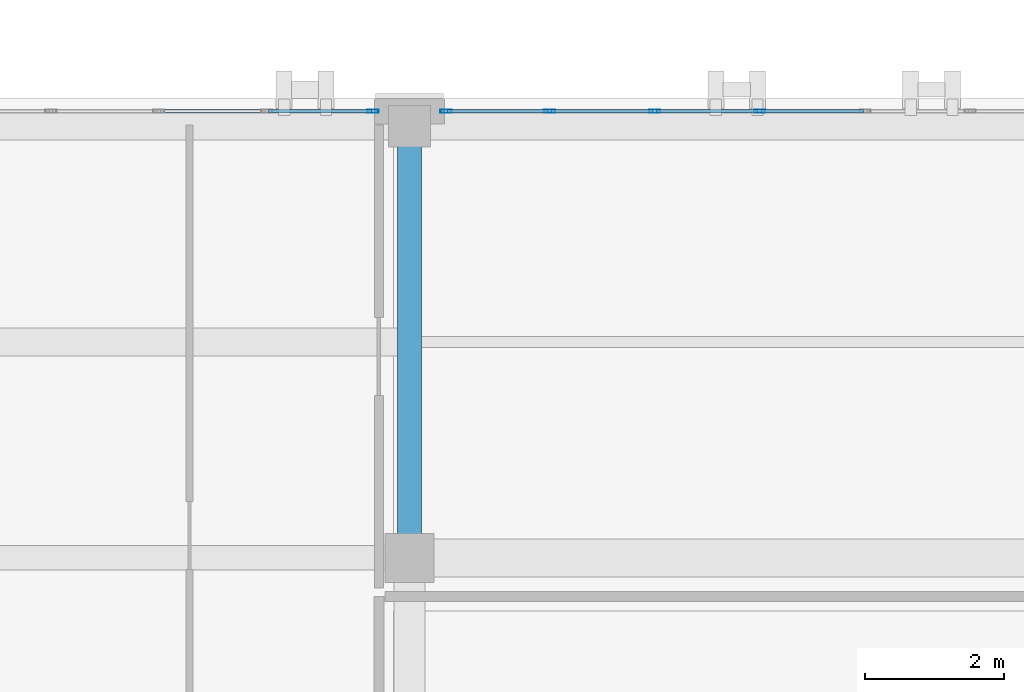
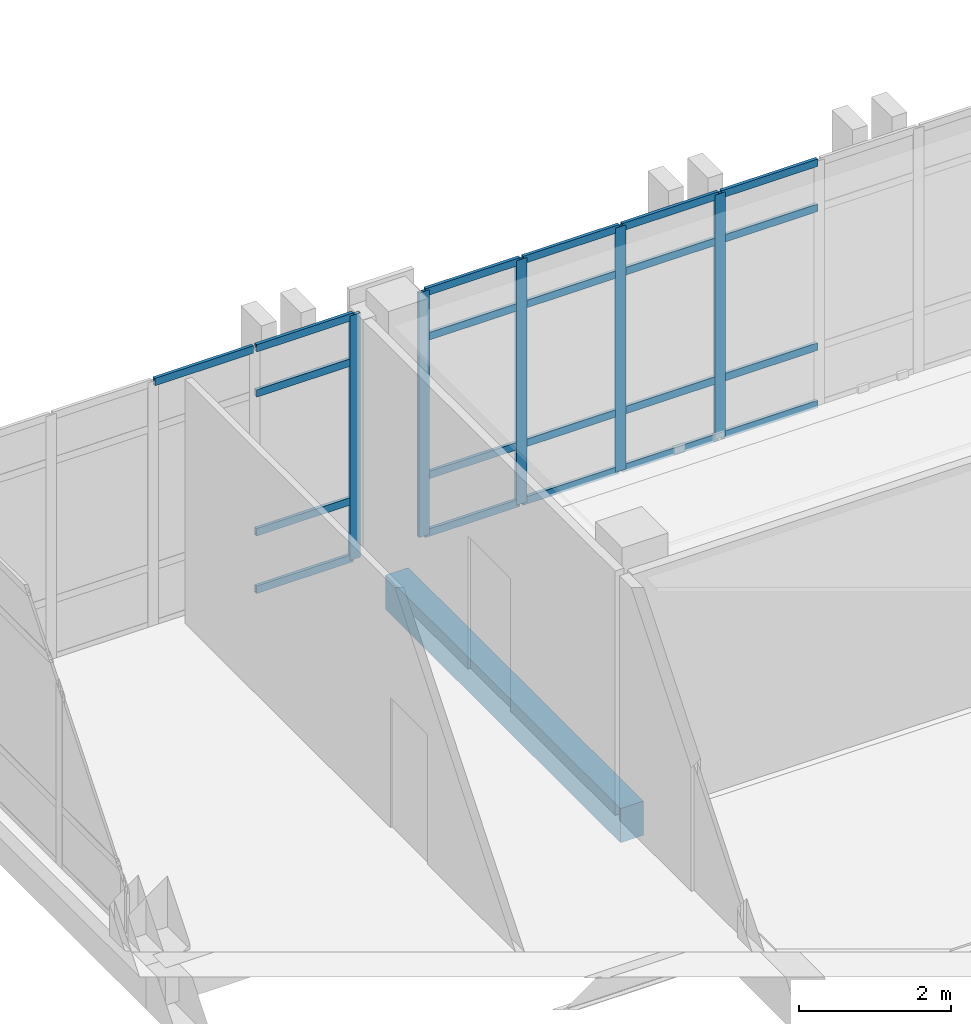
# One storey, part 39 of 77: 26 members, 1 beam, 2 elements without a shape of their own.
"""IFC4 building model written with IfcOpenShell, lengths in metres."""

from ifc_helpers import new_model, si_unit, direction, frame, origin, origin_2d, place, context, subcontext, project, spatial, rectangle, hollow_rectangle, extrude, material, layer, layer_set, material_profile, profile_set, type_object, element, aggregate, save


model = new_model("IFC4")

# Units and contexts
model_context = context("Model", 3, precision=1e-05, world=origin(), true_north=direction((0.0, 1.0)))
body_context = subcontext(model_context, "Body", "Model", "MODEL_VIEW")
ifc_project = project(units=[si_unit("LENGTHUNIT", "METRE"), si_unit("AREAUNIT", "SQUARE_METRE"), si_unit("VOLUMEUNIT", "CUBIC_METRE"), si_unit("PLANEANGLEUNIT", "RADIAN"), si_unit("MASSUNIT", "GRAM", prefix="KILO")], contexts=[model_context])

# Site, building, storey
site_placement = place(None, origin())
site = spatial("IfcSite", under=ifc_project, at=site_placement, CompositionType="ELEMENT")
building_placement = place(site_placement, origin())
building = spatial("IfcBuilding", under=site, at=building_placement, Name="Qalavern Law Courts", CompositionType="ELEMENT")
storey_placement = place(building_placement, frame((0.0, 0.0, 27.0)))
storey = spatial("IfcBuildingStorey", under=building, at=storey_placement, Name="L06", CompositionType="ELEMENT", Elevation=27.0)

# Curtain wall, members
ifc_material_1 = material(Name="Anodised aluminium and insulated glazing", Category="aluminium")
ifc_layer = layer(ifc_material_1, 0.159912109375)
ifc_layer_set = layer_set([ifc_layer], Name="Anodised aluminium and insulated glazing")
curtain_wall_type = type_object("IfcCurtainWallType", Name="ENV-CW-CHAMB", PredefinedType="USERDEFINED", material=ifc_layer_set)
curtain_wall_1_placement = place(storey_placement, origin())
curtain_wall_1 = element("IfcCurtainWall", 1, at=curtain_wall_1_placement, inside=storey, type_object=curtain_wall_type, Name="V4 unitised curtain wall L06 north 1", ObjectType="UNITISED CURTAIN WALL", PredefinedType="USERDEFINED")
ifc_material_2 = material(Name="Anodised aluminium", Category="aluminium")
ifc_material_profile_1 = material_profile(ifc_material_2, hollow_rectangle(XDim=0.048095703125, YDim=0.159912109375, WallThickness=0.00390625, at=origin_2d()), Name="ALU MULLION 48x160")
ifc_profile_set_1 = profile_set([ifc_material_profile_1], Name="Anodised aluminium")
member_type_1 = type_object("IfcMemberType", Name="ENV-CWM-48x160", PredefinedType="MULLION", material=ifc_profile_set_1)
member_1_placement = place(storey_placement, frame((96.833251953125, 85.614990234375, 0.0), z_axis=(0.0, 0.0, 1.0), x_axis=(0.0, -1.0, 0.0)))
member_1 = element("IfcMember", 2, at=member_1_placement, type_object=member_type_1, Name="CW-04 mullion 7", PredefinedType="MULLION", context=body_context, shape_type="SweptSolid", body=[
    extrude(hollow_rectangle(XDim=0.048095703125, YDim=0.159912109375, WallThickness=0.00390625, at=origin_2d()), origin(), (0.0, 0.0, 1.0), 3.93505859375),
])
member_2_placement = place(storey_placement, frame((95.322265625, 85.614990234375, 0.0), z_axis=(0.0, 0.0, 1.0), x_axis=(0.0, -1.0, 0.0)))
member_2 = element("IfcMember", 3, at=member_2_placement, type_object=member_type_1, Name="CW-04 mullion 8", PredefinedType="MULLION", context=body_context, shape_type="SweptSolid", body=[
    extrude(hollow_rectangle(XDim=0.048095703125, YDim=0.159912109375, WallThickness=0.00390625, at=origin_2d()), origin(), (0.0, 0.0, 1.0), 3.93505859375),
])
member_3_placement = place(storey_placement, frame((93.81103515625, 85.614990234375, 0.0), z_axis=(0.0, 0.0, 1.0), x_axis=(0.0, -1.0, 0.0)))
member_3 = element("IfcMember", 4, at=member_3_placement, type_object=member_type_1, Name="CW-04 mullion 9", PredefinedType="MULLION", context=body_context, shape_type="SweptSolid", body=[
    extrude(hollow_rectangle(XDim=0.048095703125, YDim=0.159912109375, WallThickness=0.00390625, at=origin_2d()), origin(), (0.0, 0.0, 1.0), 3.93505859375),
])
member_4_placement = place(storey_placement, frame((92.323974609375, 85.614990234375, 0.0), z_axis=(0.0, 0.0, 1.0), x_axis=(0.0, -1.0, 0.0)))
member_4 = element("IfcMember", 5, at=member_4_placement, type_object=member_type_1, Name="CW-04 mullion 10", PredefinedType="MULLION", context=body_context, shape_type="SweptSolid", body=[
    extrude(hollow_rectangle(XDim=0.048095703125, YDim=0.159912109375, WallThickness=0.00390625, at=origin_2d()), origin(), (0.0, 0.0, 1.0), 3.93505859375),
])

# Curtain wall, member
curtain_wall_2_placement = place(storey_placement, origin())
curtain_wall_2 = element("IfcCurtainWall", 6, at=curtain_wall_2_placement, inside=storey, type_object=curtain_wall_type, Name="V4 unitised curtain wall L06 north 2", ObjectType="UNITISED CURTAIN WALL", PredefinedType="USERDEFINED")
member_5_placement = place(storey_placement, frame((91.27587890625, 85.614990234375, 0.0), z_axis=(0.0, 0.0, 1.0), x_axis=(0.0, -1.0, 0.0)))
member_5 = element("IfcMember", 7, at=member_5_placement, type_object=member_type_1, Name="CW-04 mullion 1", PredefinedType="MULLION", context=body_context, shape_type="SweptSolid", body=[
    extrude(hollow_rectangle(XDim=0.048095703125, YDim=0.159912109375, WallThickness=0.00390625, at=origin_2d()), origin(), (0.0, 0.0, 1.0), 3.93505859375),
])

# Member
ifc_material_profile_2 = material_profile(ifc_material_2, hollow_rectangle(XDim=0.048095703125, YDim=0.1201171875, WallThickness=0.00390625, at=origin_2d()), Name="ALU TRANSOM 48x120")
ifc_profile_set_2 = profile_set([ifc_material_profile_2], Name="Anodised aluminium")
member_type_2 = type_object("IfcMemberType", Name="ENV-CWT-48x120", PredefinedType="USERDEFINED", material=ifc_profile_set_2)
member_6_placement = place(storey_placement, frame((98.320556640625, 85.614990234375, 0.02392578125), z_axis=(-1.0, 0.0, 0.0), x_axis=(0.0, -1.0, 0.0)))
member_6 = element("IfcMember", 8, at=member_6_placement, type_object=member_type_2, Name="CW-04 transom 6.1", ObjectType="TRANSOM", PredefinedType="USERDEFINED", context=body_context, shape_type="SweptSolid", body=[
    extrude(hollow_rectangle(XDim=0.048095703125, YDim=0.1201171875, WallThickness=0.00390625, at=origin_2d()), origin(), (0.0, 0.0, 1.0), 1.463134765625),
])

member_7_placement = place(storey_placement, frame((98.320556640625, 85.614990234375, 0.949951171875), z_axis=(-1.0, 0.0, 0.0), x_axis=(0.0, -1.0, 0.0)))
member_7 = element("IfcMember", 9, at=member_7_placement, type_object=member_type_2, Name="CW-04 transom 6.2", ObjectType="TRANSOM", PredefinedType="USERDEFINED", context=body_context, shape_type="SweptSolid", body=[
    extrude(hollow_rectangle(XDim=0.048095703125, YDim=0.1201171875, WallThickness=0.00390625, at=origin_2d()), origin(), (0.0, 0.0, 1.0), 1.463134765625),
])

member_8_placement = place(storey_placement, frame((98.320556640625, 85.614990234375, 3.18505859375), z_axis=(-1.0, 0.0, 0.0), x_axis=(0.0, -1.0, 0.0)))
member_8 = element("IfcMember", 10, at=member_8_placement, type_object=member_type_2, Name="CW-04 transom 6.3", ObjectType="TRANSOM", PredefinedType="USERDEFINED", context=body_context, shape_type="SweptSolid", body=[
    extrude(hollow_rectangle(XDim=0.048095703125, YDim=0.1201171875, WallThickness=0.00390625, at=origin_2d()), origin(), (0.0, 0.0, 1.0), 1.463134765625),
])

member_9_placement = place(storey_placement, frame((98.320556640625, 85.614990234375, 3.910888671875), z_axis=(-1.0, 0.0, 0.0), x_axis=(0.0, -1.0, 0.0)))
member_9 = element("IfcMember", 11, at=member_9_placement, type_object=member_type_2, Name="CW-04 transom 6.4", ObjectType="TRANSOM", PredefinedType="USERDEFINED", context=body_context, shape_type="SweptSolid", body=[
    extrude(hollow_rectangle(XDim=0.048095703125, YDim=0.1201171875, WallThickness=0.00390625, at=origin_2d()), origin(), (0.0, 0.0, 1.0), 1.463134765625),
])

member_10_placement = place(storey_placement, frame((96.809326171875, 85.614990234375, 0.02392578125), z_axis=(-1.0, 0.0, 0.0), x_axis=(0.0, -1.0, 0.0)))
member_10 = element("IfcMember", 12, at=member_10_placement, type_object=member_type_2, Name="CW-04 transom 7.1", ObjectType="TRANSOM", PredefinedType="USERDEFINED", context=body_context, shape_type="SweptSolid", body=[
    extrude(hollow_rectangle(XDim=0.048095703125, YDim=0.1201171875, WallThickness=0.00390625, at=origin_2d()), origin(), (0.0, 0.0, 1.0), 1.463134765625),
])

member_11_placement = place(storey_placement, frame((96.809326171875, 85.614990234375, 0.949951171875), z_axis=(-1.0, 0.0, 0.0), x_axis=(0.0, -1.0, 0.0)))
member_11 = element("IfcMember", 13, at=member_11_placement, type_object=member_type_2, Name="CW-04 transom 7.2", ObjectType="TRANSOM", PredefinedType="USERDEFINED", context=body_context, shape_type="SweptSolid", body=[
    extrude(hollow_rectangle(XDim=0.048095703125, YDim=0.1201171875, WallThickness=0.00390625, at=origin_2d()), origin(), (0.0, 0.0, 1.0), 1.463134765625),
])

member_12_placement = place(storey_placement, frame((96.809326171875, 85.614990234375, 3.18505859375), z_axis=(-1.0, 0.0, 0.0), x_axis=(0.0, -1.0, 0.0)))
member_12 = element("IfcMember", 14, at=member_12_placement, type_object=member_type_2, Name="CW-04 transom 7.3", ObjectType="TRANSOM", PredefinedType="USERDEFINED", context=body_context, shape_type="SweptSolid", body=[
    extrude(hollow_rectangle(XDim=0.048095703125, YDim=0.1201171875, WallThickness=0.00390625, at=origin_2d()), origin(), (0.0, 0.0, 1.0), 1.463134765625),
])

member_13_placement = place(storey_placement, frame((96.809326171875, 85.614990234375, 3.910888671875), z_axis=(-1.0, 0.0, 0.0), x_axis=(0.0, -1.0, 0.0)))
member_13 = element("IfcMember", 15, at=member_13_placement, type_object=member_type_2, Name="CW-04 transom 7.4", ObjectType="TRANSOM", PredefinedType="USERDEFINED", context=body_context, shape_type="SweptSolid", body=[
    extrude(hollow_rectangle(XDim=0.048095703125, YDim=0.1201171875, WallThickness=0.00390625, at=origin_2d()), origin(), (0.0, 0.0, 1.0), 1.463134765625),
])

member_14_placement = place(storey_placement, frame((95.29833984375, 85.614990234375, 0.02392578125), z_axis=(-1.0, 0.0, 0.0), x_axis=(0.0, -1.0, 0.0)))
member_14 = element("IfcMember", 16, at=member_14_placement, type_object=member_type_2, Name="CW-04 transom 8.1", ObjectType="TRANSOM", PredefinedType="USERDEFINED", context=body_context, shape_type="SweptSolid", body=[
    extrude(hollow_rectangle(XDim=0.048095703125, YDim=0.1201171875, WallThickness=0.00390625, at=origin_2d()), origin(), (0.0, 0.0, 1.0), 1.463134765625),
])

member_15_placement = place(storey_placement, frame((95.29833984375, 85.614990234375, 0.949951171875), z_axis=(-1.0, 0.0, 0.0), x_axis=(0.0, -1.0, 0.0)))
member_15 = element("IfcMember", 17, at=member_15_placement, type_object=member_type_2, Name="CW-04 transom 8.2", ObjectType="TRANSOM", PredefinedType="USERDEFINED", context=body_context, shape_type="SweptSolid", body=[
    extrude(hollow_rectangle(XDim=0.048095703125, YDim=0.1201171875, WallThickness=0.00390625, at=origin_2d()), origin(), (0.0, 0.0, 1.0), 1.463134765625),
])

member_16_placement = place(storey_placement, frame((95.29833984375, 85.614990234375, 3.18505859375), z_axis=(-1.0, 0.0, 0.0), x_axis=(0.0, -1.0, 0.0)))
member_16 = element("IfcMember", 18, at=member_16_placement, type_object=member_type_2, Name="CW-04 transom 8.3", ObjectType="TRANSOM", PredefinedType="USERDEFINED", context=body_context, shape_type="SweptSolid", body=[
    extrude(hollow_rectangle(XDim=0.048095703125, YDim=0.1201171875, WallThickness=0.00390625, at=origin_2d()), origin(), (0.0, 0.0, 1.0), 1.463134765625),
])

member_17_placement = place(storey_placement, frame((95.29833984375, 85.614990234375, 3.910888671875), z_axis=(-1.0, 0.0, 0.0), x_axis=(0.0, -1.0, 0.0)))
member_17 = element("IfcMember", 19, at=member_17_placement, type_object=member_type_2, Name="CW-04 transom 8.4", ObjectType="TRANSOM", PredefinedType="USERDEFINED", context=body_context, shape_type="SweptSolid", body=[
    extrude(hollow_rectangle(XDim=0.048095703125, YDim=0.1201171875, WallThickness=0.00390625, at=origin_2d()), origin(), (0.0, 0.0, 1.0), 1.463134765625),
])

member_18_placement = place(storey_placement, frame((93.787109375, 85.614990234375, 0.02392578125), z_axis=(-1.0, 0.0, 0.0), x_axis=(0.0, -1.0, 0.0)))
member_18 = element("IfcMember", 20, at=member_18_placement, type_object=member_type_2, Name="CW-04 transom 9.1", ObjectType="TRANSOM", PredefinedType="USERDEFINED", context=body_context, shape_type="SweptSolid", body=[
    extrude(hollow_rectangle(XDim=0.048095703125, YDim=0.1201171875, WallThickness=0.00390625, at=origin_2d()), origin(), (0.0, 0.0, 1.0), 1.439208984375),
])

member_19_placement = place(storey_placement, frame((93.787109375, 85.614990234375, 0.949951171875), z_axis=(-1.0, 0.0, 0.0), x_axis=(0.0, -1.0, 0.0)))
member_19 = element("IfcMember", 21, at=member_19_placement, type_object=member_type_2, Name="CW-04 transom 9.2", ObjectType="TRANSOM", PredefinedType="USERDEFINED", context=body_context, shape_type="SweptSolid", body=[
    extrude(hollow_rectangle(XDim=0.048095703125, YDim=0.1201171875, WallThickness=0.00390625, at=origin_2d()), origin(), (0.0, 0.0, 1.0), 1.439208984375),
])

member_20_placement = place(storey_placement, frame((93.787109375, 85.614990234375, 3.18505859375), z_axis=(-1.0, 0.0, 0.0), x_axis=(0.0, -1.0, 0.0)))
member_20 = element("IfcMember", 22, at=member_20_placement, type_object=member_type_2, Name="CW-04 transom 9.3", ObjectType="TRANSOM", PredefinedType="USERDEFINED", context=body_context, shape_type="SweptSolid", body=[
    extrude(hollow_rectangle(XDim=0.048095703125, YDim=0.1201171875, WallThickness=0.00390625, at=origin_2d()), origin(), (0.0, 0.0, 1.0), 1.439208984375),
])

member_21_placement = place(storey_placement, frame((93.787109375, 85.614990234375, 3.910888671875), z_axis=(-1.0, 0.0, 0.0), x_axis=(0.0, -1.0, 0.0)))
member_21 = element("IfcMember", 23, at=member_21_placement, type_object=member_type_2, Name="CW-04 transom 9.4", ObjectType="TRANSOM", PredefinedType="USERDEFINED", context=body_context, shape_type="SweptSolid", body=[
    extrude(hollow_rectangle(XDim=0.048095703125, YDim=0.1201171875, WallThickness=0.00390625, at=origin_2d()), origin(), (0.0, 0.0, 1.0), 1.439208984375),
])

aggregate(curtain_wall_1, [member_1, member_2, member_3, member_4, member_6, member_7, member_8, member_9, member_10, member_11, member_12, member_13, member_14, member_15, member_16, member_17, member_18, member_19, member_20, member_21])

member_22_placement = place(storey_placement, frame((91.251953125, 85.614990234375, 0.02392578125), z_axis=(-1.0, 0.0, 0.0), x_axis=(0.0, -1.0, 0.0)))
member_22 = element("IfcMember", 24, at=member_22_placement, type_object=member_type_2, Name="CW-04 transom 1.1", ObjectType="TRANSOM", PredefinedType="USERDEFINED", context=body_context, shape_type="SweptSolid", body=[
    extrude(hollow_rectangle(XDim=0.048095703125, YDim=0.1201171875, WallThickness=0.00390625, at=origin_2d()), origin(), (0.0, 0.0, 1.0), 1.47802734375),
])

member_23_placement = place(storey_placement, frame((91.251953125, 85.614990234375, 0.949951171875), z_axis=(-1.0, 0.0, 0.0), x_axis=(0.0, -1.0, 0.0)))
member_23 = element("IfcMember", 25, at=member_23_placement, type_object=member_type_2, Name="CW-04 transom 1.2", ObjectType="TRANSOM", PredefinedType="USERDEFINED", context=body_context, shape_type="SweptSolid", body=[
    extrude(hollow_rectangle(XDim=0.048095703125, YDim=0.1201171875, WallThickness=0.00390625, at=origin_2d()), origin(), (0.0, 0.0, 1.0), 1.47802734375),
])

member_24_placement = place(storey_placement, frame((91.251953125, 85.614990234375, 3.18505859375), z_axis=(-1.0, 0.0, 0.0), x_axis=(0.0, -1.0, 0.0)))
member_24 = element("IfcMember", 26, at=member_24_placement, type_object=member_type_2, Name="CW-04 transom 1.3", ObjectType="TRANSOM", PredefinedType="USERDEFINED", context=body_context, shape_type="SweptSolid", body=[
    extrude(hollow_rectangle(XDim=0.048095703125, YDim=0.1201171875, WallThickness=0.00390625, at=origin_2d()), origin(), (0.0, 0.0, 1.0), 1.47802734375),
])

member_25_placement = place(storey_placement, frame((91.251953125, 85.614990234375, 3.910888671875), z_axis=(-1.0, 0.0, 0.0), x_axis=(0.0, -1.0, 0.0)))
member_25 = element("IfcMember", 27, at=member_25_placement, type_object=member_type_2, Name="CW-04 transom 1.4", ObjectType="TRANSOM", PredefinedType="USERDEFINED", context=body_context, shape_type="SweptSolid", body=[
    extrude(hollow_rectangle(XDim=0.048095703125, YDim=0.1201171875, WallThickness=0.00390625, at=origin_2d()), origin(), (0.0, 0.0, 1.0), 1.47802734375),
])

member_26_placement = place(storey_placement, frame((89.72607421875, 85.614990234375, 3.910888671875), z_axis=(-1.0, 0.0, 0.0), x_axis=(0.0, -1.0, 0.0)))
member_26 = element("IfcMember", 28, at=member_26_placement, type_object=member_type_2, Name="CW-04 transom 2.4", ObjectType="TRANSOM", PredefinedType="USERDEFINED", context=body_context, shape_type="SweptSolid", body=[
    extrude(hollow_rectangle(XDim=0.048095703125, YDim=0.1201171875, WallThickness=0.00390625, at=origin_2d()), origin(), (0.0, 0.0, 1.0), 1.501953125),
])

aggregate(curtain_wall_2, [member_5, member_22, member_23, member_24, member_25, member_26])

# Beam
ifc_material_3 = material(Name="Concrete C35/45", Category="concrete")
ifc_material_profile_3 = material_profile(ifc_material_3, rectangle(XDim=0.35009765625, YDim=0.550048828125, at=origin_2d()), Name="RC 350x550")
ifc_profile_set_3 = profile_set([ifc_material_profile_3], Name="Concrete C35/45")
beam_type = type_object("IfcBeamType", Name="STR-BM-RC350x550", PredefinedType="BEAM", material=ifc_profile_set_3)
beam_placement = place(storey_placement, frame((91.800048828125, 79.199951171875, -0.544921875), z_axis=(0.0, 1.0, 0.0), x_axis=(-1.0, 0.0, 0.0)))
element("IfcBeam", 29, at=beam_placement, inside=storey, type_object=beam_type, Name="V4 Y-beam 2-5 L06", PredefinedType="BEAM", context=body_context, shape_type="SweptSolid", body=[
    extrude(rectangle(XDim=0.35009765625, YDim=0.550048828125, at=origin_2d()), origin(), (0.0, 0.0, 1.0), 6.199951171875),
])

save(model, "model.ifc")
